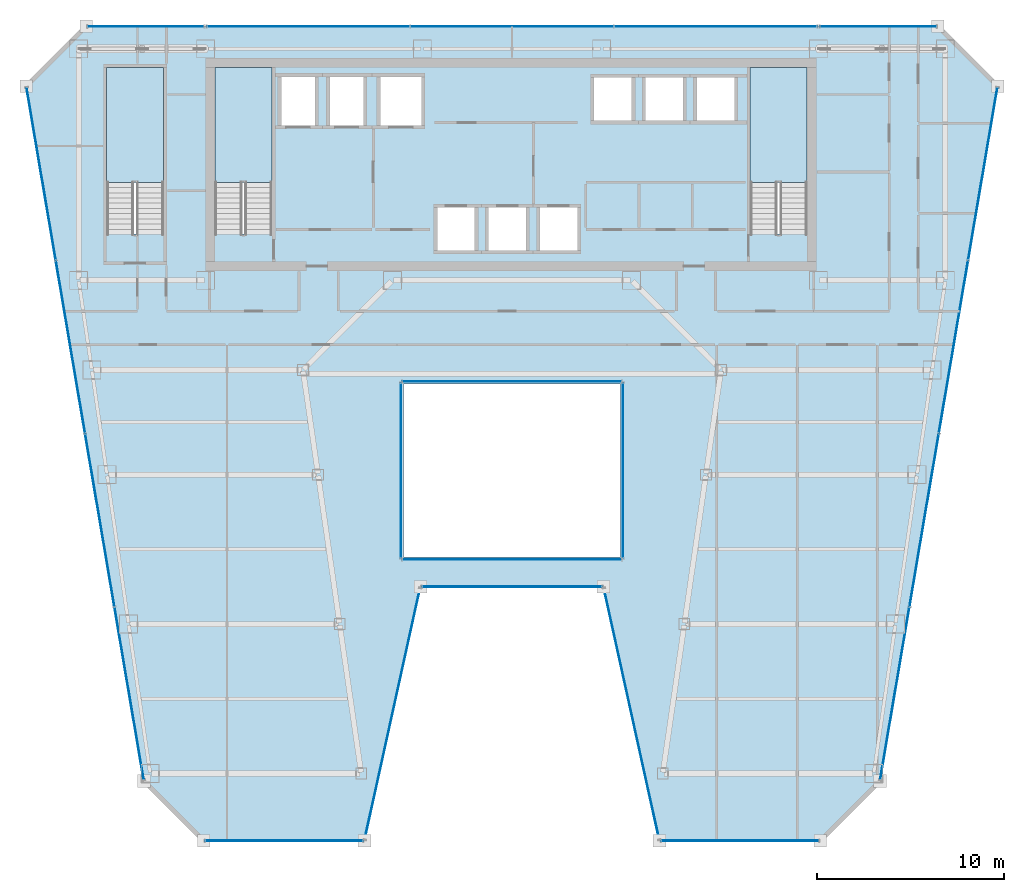
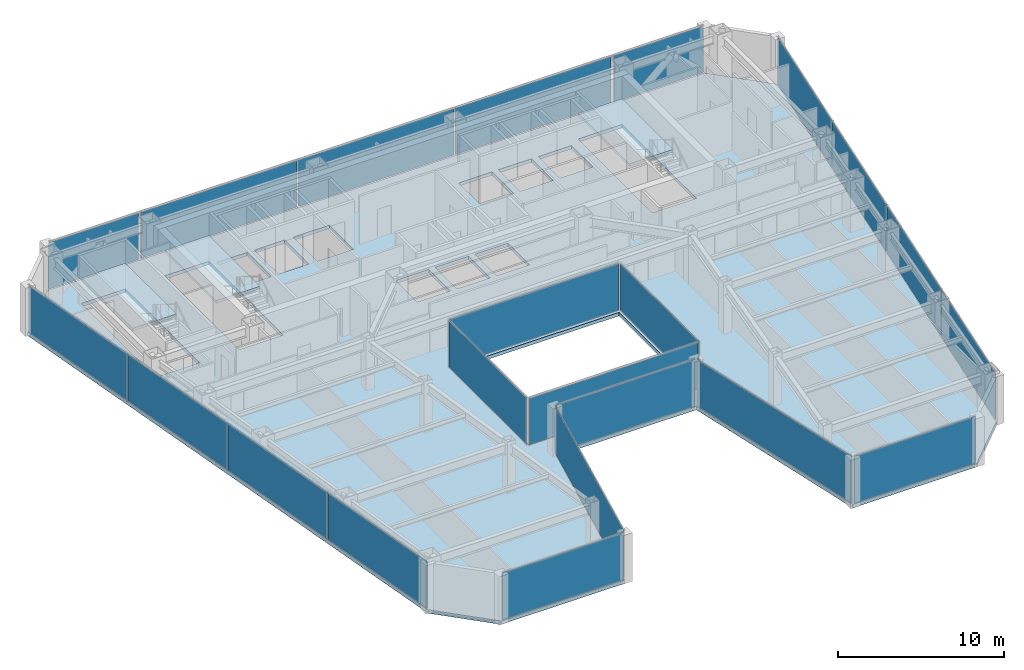
# One storey, part 27 of 35: 22 plates, 4 slabs, 17 elements without a shape of their own.
"""IFC4 building model written with IfcOpenShell, lengths in metres."""

from ifc_helpers import new_model, si_unit, direction, frame, origin, origin_2d, place, context, subcontext, project, spatial, polyline, rectangle, outline, extrude, material, layer, layer_set, type_object, element, aggregate, save


model = new_model("IFC4")

# Units and contexts
model_context = context("Model", 3, precision=1e-05, world=origin(), true_north=direction((0.0, 1.0)))
body_context = subcontext(model_context, "Body", "Model", "MODEL_VIEW")
ifc_project = project(units=[si_unit("LENGTHUNIT", "METRE"), si_unit("AREAUNIT", "SQUARE_METRE"), si_unit("VOLUMEUNIT", "CUBIC_METRE"), si_unit("PLANEANGLEUNIT", "RADIAN"), si_unit("MASSUNIT", "GRAM", prefix="KILO")], contexts=[model_context])

# Site, building, storey
site_placement = place(None, origin())
site = spatial("IfcSite", under=ifc_project, at=site_placement, CompositionType="ELEMENT")
building_placement = place(site_placement, origin())
building = spatial("IfcBuilding", under=site, at=building_placement, Name="Saevonmaru Cultural Tower", CompositionType="ELEMENT")
storey_placement = place(building_placement, frame((0.0, 0.0, 175.199951171875)))
storey = spatial("IfcBuildingStorey", under=building, at=storey_placement, Name="L39", CompositionType="ELEMENT", Elevation=175.199951171875)

# Curtain wall, plate
ifc_material_1 = material(Name="Satin Bronze Anodised Aluminium", Category="aluminium")
curtain_wall_type_1 = type_object("IfcCurtainWallType", Name="CW-ATR-GLZ", PredefinedType="NOTDEFINED", material=ifc_material_1)
curtain_wall_1_placement = place(storey_placement, origin())
curtain_wall_1 = element("IfcCurtainWall", 1, at=curtain_wall_1_placement, inside=storey, type_object=curtain_wall_type_1, Name="L39 Vertical Atrium Glazed Smoke Screen 1", PredefinedType="NOTDEFINED")
ifc_material_2 = material(Name="Fire-Rated Laminated Atrium Glass", Category="glass")
ifc_layer_1 = layer(ifc_material_2, 0.031982421875, Name="Fire-Rated Laminated Atrium Glass")
ifc_layer_set_1 = layer_set([ifc_layer_1], Name="Fire-Rated Laminated Atrium Glass")
plate_type_1 = type_object("IfcPlateType", Name="PN-GLZ-ATR-INT", PredefinedType="CURTAIN_PANEL", material=ifc_layer_set_1)
plate_1_placement = place(storey_placement, frame((30.0, 27.449951171875, 0.067138671875), z_axis=(0.0, 0.0, 1.0), x_axis=(1.0, 0.0, 0.0)))
plate_1 = element("IfcPlate", 2, at=plate_1_placement, type_object=plate_type_1, Name="CW-ATR-L39-1 panel 1.1", PredefinedType="CURTAIN_PANEL", context=body_context, shape_type="SweptSolid", body=[
    extrude(rectangle(XDim=11.7109375, YDim=0.031982421875, at=origin_2d()), origin(), (0.0, 0.0, 1.0), 3.416015625),
])
aggregate(curtain_wall_1, [plate_1])

curtain_wall_2_placement = place(storey_placement, origin())
curtain_wall_2 = element("IfcCurtainWall", 3, at=curtain_wall_2_placement, inside=storey, type_object=curtain_wall_type_1, Name="L39 Vertical Atrium Glazed Smoke Screen 2", PredefinedType="NOTDEFINED")
plate_2_placement = place(storey_placement, frame((35.949951171875, 32.219970703125, 0.067138671875), z_axis=(0.0, 0.0, 1.0), x_axis=(0.0, 1.0, 0.0)))
plate_2 = element("IfcPlate", 4, at=plate_2_placement, type_object=plate_type_1, Name="CW-ATR-L39-2 panel 1.1", PredefinedType="CURTAIN_PANEL", context=body_context, shape_type="SweptSolid", body=[
    extrude(rectangle(XDim=9.35107421875, YDim=0.031982421875, at=origin_2d()), origin(), (0.0, 0.0, 1.0), 3.416015625),
])
aggregate(curtain_wall_2, [plate_2])

curtain_wall_3_placement = place(storey_placement, origin())
curtain_wall_3 = element("IfcCurtainWall", 5, at=curtain_wall_3_placement, inside=storey, type_object=curtain_wall_type_1, Name="L39 Vertical Atrium Glazed Smoke Screen 3", PredefinedType="NOTDEFINED")
plate_3_placement = place(storey_placement, frame((30.0, 36.989990234375, 0.067138671875), z_axis=(0.0, 0.0, 1.0), x_axis=(-1.0, 0.0, 0.0)))
plate_3 = element("IfcPlate", 6, at=plate_3_placement, type_object=plate_type_1, Name="CW-ATR-L39-3 panel 1.1", PredefinedType="CURTAIN_PANEL", context=body_context, shape_type="SweptSolid", body=[
    extrude(rectangle(XDim=11.7109375, YDim=0.031982421875, at=origin_2d()), origin(), (0.0, 0.0, 1.0), 3.416015625),
])
aggregate(curtain_wall_3, [plate_3])

curtain_wall_4_placement = place(storey_placement, origin())
curtain_wall_4 = element("IfcCurtainWall", 7, at=curtain_wall_4_placement, inside=storey, type_object=curtain_wall_type_1, Name="L39 Vertical Atrium Glazed Smoke Screen 4", PredefinedType="NOTDEFINED")
plate_4_placement = place(storey_placement, frame((24.050048828125, 32.219970703125, 0.067138671875), z_axis=(0.0, 0.0, 1.0), x_axis=(0.0, -1.0, 0.0)))
plate_4 = element("IfcPlate", 8, at=plate_4_placement, type_object=plate_type_1, Name="CW-ATR-L39-4 panel 1.1", PredefinedType="CURTAIN_PANEL", context=body_context, shape_type="SweptSolid", body=[
    extrude(rectangle(XDim=9.35107421875, YDim=0.031982421875, at=origin_2d()), origin(), (0.0, 0.0, 1.0), 3.416015625),
])
aggregate(curtain_wall_4, [plate_4])

curtain_wall_type_2 = type_object("IfcCurtainWallType", Name="CW-TYP-B", PredefinedType="NOTDEFINED", material=ifc_material_1)
curtain_wall_5_placement = place(storey_placement, origin())
curtain_wall_5 = element("IfcCurtainWall", 9, at=curtain_wall_5_placement, inside=storey, type_object=curtain_wall_type_2, Name="L39 Unitised Curtain Wall E2", PredefinedType="NOTDEFINED")
ifc_material_3 = material(Name="Triple Silver Low-E Insulating Glass", Category="glass")
ifc_layer_2 = layer(ifc_material_3, 0.035888671875, Name="Triple Silver Low-E Insulating Glass")
ifc_layer_set_2 = layer_set([ifc_layer_2], Name="Triple Silver Low-E Insulating Glass")
plate_type_2 = type_object("IfcPlateType", Name="PN-GLZ-IGU", PredefinedType="CURTAIN_PANEL", material=ifc_layer_set_2)
plate_5_placement = place(storey_placement, frame((17.7978515625, 12.39990234375, 0.067138671875), z_axis=(0.0, 0.0, 1.0), x_axis=(1.0, 0.0, 0.0)))
plate_5 = element("IfcPlate", 10, at=plate_5_placement, type_object=plate_type_2, Name="CW-TW-L39-E2 panel 1.1", PredefinedType="CURTAIN_PANEL", context=body_context, shape_type="SweptSolid", body=[
    extrude(rectangle(XDim=8.410888671875, YDim=0.035888671875, at=origin_2d()), origin(), (0.0, 0.0, 1.0), 3.416015625),
])
aggregate(curtain_wall_5, [plate_5])

curtain_wall_6_placement = place(storey_placement, origin())
curtain_wall_6 = element("IfcCurtainWall", 11, at=curtain_wall_6_placement, inside=storey, type_object=curtain_wall_type_2, Name="L39 Unitised Curtain Wall E3", PredefinedType="NOTDEFINED")
plate_6_placement = place(storey_placement, frame((23.597900390625, 19.199951171875, 0.067138671875), z_axis=(0.0, 0.0, 1.0), x_axis=(0.215413319953, 0.976522965212, 0.0)))
plate_6 = element("IfcPlate", 12, at=plate_6_placement, type_object=plate_type_2, Name="CW-TW-L39-E3 panel 1.1", PredefinedType="CURTAIN_PANEL", context=body_context, shape_type="SweptSolid", body=[
    extrude(rectangle(XDim=13.738037109375, YDim=0.035888671875, at=origin_2d()), origin(), (0.0, 0.0, 1.0), 3.416015625),
])
aggregate(curtain_wall_6, [plate_6])

curtain_wall_7_placement = place(storey_placement, origin())
curtain_wall_7 = element("IfcCurtainWall", 13, at=curtain_wall_7_placement, inside=storey, type_object=curtain_wall_type_2, Name="L39 Unitised Curtain Wall E4", PredefinedType="NOTDEFINED")
plate_7_placement = place(storey_placement, frame((30.0, 26.0, 0.067138671875), z_axis=(0.0, 0.0, 1.0), x_axis=(1.0, 0.0, 0.0)))
plate_7 = element("IfcPlate", 14, at=plate_7_placement, type_object=plate_type_2, Name="CW-TW-L39-E4 panel 1.1", PredefinedType="CURTAIN_PANEL", context=body_context, shape_type="SweptSolid", body=[
    extrude(rectangle(XDim=9.615478515625, YDim=0.035888671875, at=origin_2d()), origin(), (0.0, 0.0, 1.0), 3.416015625),
])
aggregate(curtain_wall_7, [plate_7])

curtain_wall_8_placement = place(storey_placement, origin())
curtain_wall_8 = element("IfcCurtainWall", 15, at=curtain_wall_8_placement, inside=storey, type_object=curtain_wall_type_2, Name="L39 Unitised Curtain Wall E5", PredefinedType="NOTDEFINED")
plate_8_placement = place(storey_placement, frame((36.402099609375, 19.199951171875, 0.067138671875), z_axis=(0.0, 0.0, 1.0), x_axis=(0.215413319953, -0.976522965212, 0.0)))
plate_8 = element("IfcPlate", 16, at=plate_8_placement, type_object=plate_type_2, Name="CW-TW-L39-E5 panel 1.1", PredefinedType="CURTAIN_PANEL", context=body_context, shape_type="SweptSolid", body=[
    extrude(rectangle(XDim=13.738037109375, YDim=0.035888671875, at=origin_2d()), origin(), (0.0, 0.0, 1.0), 3.416015625),
])
aggregate(curtain_wall_8, [plate_8])

curtain_wall_9_placement = place(storey_placement, origin())
curtain_wall_9 = element("IfcCurtainWall", 17, at=curtain_wall_9_placement, inside=storey, type_object=curtain_wall_type_2, Name="L39 Unitised Curtain Wall E6", PredefinedType="NOTDEFINED")
plate_9_placement = place(storey_placement, frame((42.2021484375, 12.39990234375, 0.067138671875), z_axis=(0.0, 0.0, 1.0), x_axis=(1.0, 0.0, 0.0)))
plate_9 = element("IfcPlate", 18, at=plate_9_placement, type_object=plate_type_2, Name="CW-TW-L39-E6 panel 1.1", PredefinedType="CURTAIN_PANEL", context=body_context, shape_type="SweptSolid", body=[
    extrude(rectangle(XDim=8.410888671875, YDim=0.035888671875, at=origin_2d()), origin(), (0.0, 0.0, 1.0), 3.416015625),
])
aggregate(curtain_wall_9, [plate_9])

# Curtain wall, plates
curtain_wall_10_placement = place(storey_placement, origin())
curtain_wall_10 = element("IfcCurtainWall", 19, at=curtain_wall_10_placement, inside=storey, type_object=curtain_wall_type_2, Name="L39 Unitised Curtain Wall E8", PredefinedType="NOTDEFINED")
plate_10_placement = place(storey_placement, frame((50.496826171875, 20.29443359375, 0.067138671875), z_axis=(0.0, 0.0, 1.0), x_axis=(0.16692169721, 0.985970155228, 0.0)))
plate_10 = element("IfcPlate", 20, at=plate_10_placement, type_object=plate_type_2, Name="CW-TW-L39-E8 panel 1.1", PredefinedType="CURTAIN_PANEL", context=body_context, shape_type="SweptSolid", body=[
    extrude(rectangle(XDim=9.333251953125, YDim=0.035888671875, at=origin_2d()), origin(), (0.0, 0.0, 1.0), 3.416015625),
])
plate_11_placement = place(storey_placement, frame((52.06640625, 29.564697265625, 0.067138671875), z_axis=(0.0, 0.0, 1.0), x_axis=(0.16692169721, 0.985970155228, 0.0)))
plate_11 = element("IfcPlate", 21, at=plate_11_placement, type_object=plate_type_2, Name="CW-TW-L39-E8 panel 2.1", PredefinedType="CURTAIN_PANEL", context=body_context, shape_type="SweptSolid", body=[
    extrude(rectangle(XDim=9.333251953125, YDim=0.035888671875, at=origin_2d()), origin(), (0.0, 0.0, 1.0), 3.416015625),
])
plate_12_placement = place(storey_placement, frame((53.6357421875, 38.835205078125, 0.067138671875), z_axis=(0.0, 0.0, 1.0), x_axis=(0.16692169721, 0.985970155228, 0.0)))
plate_12 = element("IfcPlate", 22, at=plate_12_placement, type_object=plate_type_2, Name="CW-TW-L39-E8 panel 3.1", PredefinedType="CURTAIN_PANEL", context=body_context, shape_type="SweptSolid", body=[
    extrude(rectangle(XDim=9.333251953125, YDim=0.035888671875, at=origin_2d()), origin(), (0.0, 0.0, 1.0), 3.416015625),
])
plate_13_placement = place(storey_placement, frame((55.205322265625, 48.105712890625, 0.067138671875), z_axis=(0.0, 0.0, 1.0), x_axis=(0.16692169721, 0.985970155228, 0.0)))
plate_13 = element("IfcPlate", 23, at=plate_13_placement, type_object=plate_type_2, Name="CW-TW-L39-E8 panel 4.1", PredefinedType="CURTAIN_PANEL", context=body_context, shape_type="SweptSolid", body=[
    extrude(rectangle(XDim=9.333251953125, YDim=0.035888671875, at=origin_2d()), origin(), (0.0, 0.0, 1.0), 3.416015625),
])
aggregate(curtain_wall_10, [plate_10, plate_11, plate_12, plate_13])

curtain_wall_11_placement = place(storey_placement, origin())
curtain_wall_11 = element("IfcCurtainWall", 24, at=curtain_wall_11_placement, inside=storey, type_object=curtain_wall_type_2, Name="L39 North Spine Unitised Curtain Wall E10B", PredefinedType="NOTDEFINED")
plate_14_placement = place(storey_placement, frame((40.893310546875, 56.0, 0.067138671875), z_axis=(0.0, 0.0, 1.0), x_axis=(-1.0, 0.0, 0.0)))
plate_14 = element("IfcPlate", 25, at=plate_14_placement, type_object=plate_type_2, Name="CW-TW-L39-E10B panel 1.1", PredefinedType="CURTAIN_PANEL", context=body_context, shape_type="SweptSolid", body=[
    extrude(rectangle(XDim=10.82421875, YDim=0.035888671875, at=origin_2d()), origin(), (0.0, 0.0, 1.0), 3.416015625),
])
plate_15_placement = place(storey_placement, frame((30.0, 56.0, 0.067138671875), z_axis=(0.0, 0.0, 1.0), x_axis=(-1.0, 0.0, 0.0)))
plate_15 = element("IfcPlate", 26, at=plate_15_placement, type_object=plate_type_2, Name="CW-TW-L39-E10B panel 2.1", PredefinedType="CURTAIN_PANEL", context=body_context, shape_type="SweptSolid", body=[
    extrude(rectangle(XDim=10.82421875, YDim=0.035888671875, at=origin_2d()), origin(), (0.0, 0.0, 1.0), 3.416015625),
])
plate_16_placement = place(storey_placement, frame((19.106689453125, 56.0, 0.067138671875), z_axis=(0.0, 0.0, 1.0), x_axis=(-1.0, 0.0, 0.0)))
plate_16 = element("IfcPlate", 27, at=plate_16_placement, type_object=plate_type_2, Name="CW-TW-L39-E10B panel 3.1", PredefinedType="CURTAIN_PANEL", context=body_context, shape_type="SweptSolid", body=[
    extrude(rectangle(XDim=10.82421875, YDim=0.035888671875, at=origin_2d()), origin(), (0.0, 0.0, 1.0), 3.416015625),
])
aggregate(curtain_wall_11, [plate_14, plate_15, plate_16])

curtain_wall_12_placement = place(storey_placement, origin())
curtain_wall_12 = element("IfcCurtainWall", 28, at=curtain_wall_12_placement, inside=storey, type_object=curtain_wall_type_2, Name="L39 Unitised Curtain Wall E12", PredefinedType="NOTDEFINED")
plate_17_placement = place(storey_placement, frame((4.794677734375, 48.105712890625, 0.067138671875), z_axis=(0.0, 0.0, 1.0), x_axis=(0.16692169721, -0.985970155228, 0.0)))
plate_17 = element("IfcPlate", 29, at=plate_17_placement, type_object=plate_type_2, Name="CW-TW-L39-E12 panel 1.1", PredefinedType="CURTAIN_PANEL", context=body_context, shape_type="SweptSolid", body=[
    extrude(rectangle(XDim=9.333251953125, YDim=0.035888671875, at=origin_2d()), origin(), (0.0, 0.0, 1.0), 3.416015625),
])
plate_18_placement = place(storey_placement, frame((6.3642578125, 38.835205078125, 0.067138671875), z_axis=(0.0, 0.0, 1.0), x_axis=(0.16692169721, -0.985970155228, 0.0)))
plate_18 = element("IfcPlate", 30, at=plate_18_placement, type_object=plate_type_2, Name="CW-TW-L39-E12 panel 2.1", PredefinedType="CURTAIN_PANEL", context=body_context, shape_type="SweptSolid", body=[
    extrude(rectangle(XDim=9.333251953125, YDim=0.035888671875, at=origin_2d()), origin(), (0.0, 0.0, 1.0), 3.416015625),
])
plate_19_placement = place(storey_placement, frame((7.93359375, 29.564697265625, 0.067138671875), z_axis=(0.0, 0.0, 1.0), x_axis=(0.16692169721, -0.985970155228, 0.0)))
plate_19 = element("IfcPlate", 31, at=plate_19_placement, type_object=plate_type_2, Name="CW-TW-L39-E12 panel 3.1", PredefinedType="CURTAIN_PANEL", context=body_context, shape_type="SweptSolid", body=[
    extrude(rectangle(XDim=9.333251953125, YDim=0.035888671875, at=origin_2d()), origin(), (0.0, 0.0, 1.0), 3.416015625),
])
plate_20_placement = place(storey_placement, frame((9.503173828125, 20.29443359375, 0.067138671875), z_axis=(0.0, 0.0, 1.0), x_axis=(0.16692169721, -0.985970155228, 0.0)))
plate_20 = element("IfcPlate", 32, at=plate_20_placement, type_object=plate_type_2, Name="CW-TW-L39-E12 panel 4.1", PredefinedType="CURTAIN_PANEL", context=body_context, shape_type="SweptSolid", body=[
    extrude(rectangle(XDim=9.333251953125, YDim=0.035888671875, at=origin_2d()), origin(), (0.0, 0.0, 1.0), 3.416015625),
])
aggregate(curtain_wall_12, [plate_17, plate_18, plate_19, plate_20])

# Curtain wall, plate
curtain_wall_13_placement = place(storey_placement, origin())
curtain_wall_13 = element("IfcCurtainWall", 33, at=curtain_wall_13_placement, inside=storey, type_object=curtain_wall_type_2, Name="L39 East Braced Bay Spandrel Curtain Wall E10A", PredefinedType="NOTDEFINED")
ifc_material_4 = material(Name="Insulated Satin Bronze Aluminium Spandrel Panel", Category="aluminium")
ifc_layer_3 = layer(ifc_material_4, 0.0400390625, Name="Insulated Satin Bronze Aluminium Spandrel Panel")
ifc_layer_set_3 = layer_set([ifc_layer_3], Name="Insulated Satin Bronze Aluminium Spandrel Panel")
plate_type_3 = type_object("IfcPlateType", Name="PN-SPANDREL-BRONZE", PredefinedType="CURTAIN_PANEL", material=ifc_layer_set_3)
plate_21_placement = place(storey_placement, frame((49.60009765625, 56.0, 0.067138671875), z_axis=(0.0, 0.0, 1.0), x_axis=(-1.0, 0.0, 0.0)))
plate_21 = element("IfcPlate", 34, at=plate_21_placement, type_object=plate_type_3, Name="CW-TW-L39-E10A panel 1.1", PredefinedType="CURTAIN_PANEL", context=body_context, shape_type="SweptSolid", body=[
    extrude(rectangle(XDim=6.2109375, YDim=0.035888671875, at=origin_2d()), origin(), (0.0, 0.0, 1.0), 3.416015625),
])
aggregate(curtain_wall_13, [plate_21])

curtain_wall_14_placement = place(storey_placement, origin())
curtain_wall_14 = element("IfcCurtainWall", 35, at=curtain_wall_14_placement, inside=storey, type_object=curtain_wall_type_2, Name="L39 West Braced Bay Spandrel Curtain Wall E10C", PredefinedType="NOTDEFINED")
plate_22_placement = place(storey_placement, frame((10.39990234375, 56.0, 0.067138671875), z_axis=(0.0, 0.0, 1.0), x_axis=(-1.0, 0.0, 0.0)))
plate_22 = element("IfcPlate", 36, at=plate_22_placement, type_object=plate_type_3, Name="CW-TW-L39-E10C panel 1.1", PredefinedType="CURTAIN_PANEL", context=body_context, shape_type="SweptSolid", body=[
    extrude(rectangle(XDim=6.2109375, YDim=0.035888671875, at=origin_2d()), origin(), (0.0, 0.0, 1.0), 3.416015625),
])
aggregate(curtain_wall_14, [plate_22])

# Slab
ifc_material_5 = material(Name="Concrete C40/50", Category="concrete")
ifc_layer_4 = layer(ifc_material_5, 0.25, Name="Concrete C40/50")
ifc_layer_set_4 = layer_set([ifc_layer_4], Name="Concrete C40/50")
slab_type_1 = type_object("IfcSlabType", Name="SL-FLR-250", PredefinedType="FLOOR", material=ifc_layer_set_4)
slab_1_placement = place(storey_placement, frame((0.0, 0.0, -0.25)))
element("IfcSlab", 37, at=slab_1_placement, inside=storey, type_object=slab_type_1, Name="L39 Tower Structural Floor Slab", PredefinedType="FLOOR", context=body_context, shape_type="SweptSolid", body=[
    extrude(outline(polyline([(10.2978515625, 15.60009765625), (13.497802734375, 12.39990234375), (22.097900390625, 12.39990234375), (25.097900390625, 26.0), (34.902099609375, 26.0), (37.902099609375, 12.39990234375), (46.502197265625, 12.39990234375), (49.7021484375, 15.60009765625), (56.0, 52.800048828125), (52.800048828125, 56.0), (7.199951171875, 56.0), (4.0, 52.800048828125), (10.2978515625, 15.60009765625)]), holes=[polyline([(45.800048828125, 44.875), (42.75, 44.875), (42.75, 53.800048828125), (45.800048828125, 53.800048828125), (45.800048828125, 44.875)]), polyline([(39.75, 50.800048828125), (39.75, 53.39990234375), (42.050048828125, 53.39990234375), (42.050048828125, 50.800048828125), (39.75, 50.800048828125)]), polyline([(37.0, 50.800048828125), (37.0, 53.39990234375), (39.300048828125, 53.39990234375), (39.300048828125, 50.800048828125), (37.0, 50.800048828125)]), polyline([(34.25, 50.800048828125), (34.25, 53.39990234375), (36.550048828125, 53.39990234375), (36.550048828125, 50.800048828125), (34.25, 50.800048828125)]), polyline([(24.199951171875, 27.60009765625), (24.199951171875, 36.840087890625), (35.800048828125, 36.840087890625), (35.800048828125, 27.60009765625), (24.199951171875, 27.60009765625)]), polyline([(31.35009765625, 43.85009765625), (31.35009765625, 46.449951171875), (33.64990234375, 46.449951171875), (33.64990234375, 43.85009765625), (31.35009765625, 43.85009765625)]), polyline([(28.60009765625, 43.85009765625), (28.60009765625, 46.449951171875), (30.89990234375, 46.449951171875), (30.89990234375, 43.85009765625), (28.60009765625, 43.85009765625)]), polyline([(28.14990234375, 43.85009765625), (25.85009765625, 43.85009765625), (25.85009765625, 46.449951171875), (28.14990234375, 46.449951171875), (28.14990234375, 43.85009765625)]), polyline([(25.300048828125, 50.550048828125), (22.800048828125, 50.550048828125), (22.800048828125, 53.449951171875), (25.300048828125, 53.449951171875), (25.300048828125, 50.550048828125)]), polyline([(20.10009765625, 50.550048828125), (20.10009765625, 53.449951171875), (22.199951171875, 53.449951171875), (22.199951171875, 50.550048828125), (20.10009765625, 50.550048828125)]), polyline([(17.5, 50.550048828125), (17.5, 53.449951171875), (19.60009765625, 53.449951171875), (19.60009765625, 50.550048828125), (17.5, 50.550048828125)]), polyline([(17.14990234375, 53.800048828125), (17.14990234375, 44.875), (14.10009765625, 44.875), (14.10009765625, 53.800048828125), (17.14990234375, 53.800048828125)]), polyline([(11.35009765625, 44.875), (8.300048828125, 44.875), (8.300048828125, 53.800048828125), (11.35009765625, 53.800048828125), (11.35009765625, 44.875)])]), origin(), (0.0, 0.0, 1.0), 0.25),
])

# Stair, slab
stair_type = type_object("IfcStairType", Name="STR-DOGLEG-RC", PredefinedType="HALF_TURN_STAIR", material=ifc_material_5)
stair_1_placement = place(storey_placement, origin())
stair_1 = element("IfcStair", 38, at=stair_1_placement, inside=storey, type_object=stair_type, Name="L39 Protected exit stair ST-1", PredefinedType="HALF_TURN_STAIR")
ifc_layer_5 = layer(ifc_material_5, 0.199951171875, Name="Concrete C40/50")
ifc_layer_set_5 = layer_set([ifc_layer_5], Name="Concrete C40/50")
slab_type_2 = type_object("IfcSlabType", Name="SL-STAIR-LANDING", PredefinedType="LANDING", material=ifc_layer_set_5)
slab_2_placement = place(storey_placement, frame((0.0, 0.0, 1.699951171875)))
slab_2 = element("IfcSlab", 39, at=slab_2_placement, type_object=slab_type_2, Name="ST-1-L39 landing 1", PredefinedType="LANDING", context=body_context, shape_type="SweptSolid", body=[
    extrude(outline(polyline([(17.14990234375, 47.64990234375), (17.14990234375, 53.800048828125), (14.10009765625, 53.800048828125), (14.10009765625, 47.64990234375), (17.14990234375, 47.64990234375)])), origin(), (0.0, 0.0, 1.0), 0.2001953125),
])
aggregate(stair_1, [slab_2])

stair_2_placement = place(storey_placement, origin())
stair_2 = element("IfcStair", 40, at=stair_2_placement, inside=storey, type_object=stair_type, Name="L39 Protected exit stair ST-2", PredefinedType="HALF_TURN_STAIR")
slab_3_placement = place(storey_placement, frame((0.0, 0.0, 1.699951171875)))
slab_3 = element("IfcSlab", 41, at=slab_3_placement, type_object=slab_type_2, Name="ST-2-L39 landing 1", PredefinedType="LANDING", context=body_context, shape_type="SweptSolid", body=[
    extrude(outline(polyline([(45.800048828125, 47.64990234375), (45.800048828125, 53.800048828125), (42.75, 53.800048828125), (42.75, 47.64990234375), (45.800048828125, 47.64990234375)])), origin(), (0.0, 0.0, 1.0), 0.2001953125),
])
aggregate(stair_2, [slab_3])

stair_3_placement = place(storey_placement, origin())
stair_3 = element("IfcStair", 42, at=stair_3_placement, inside=storey, type_object=stair_type, Name="L39 Protected exit stair ST-3", PredefinedType="HALF_TURN_STAIR")
slab_4_placement = place(storey_placement, frame((0.0, 0.0, 1.699951171875)))
slab_4 = element("IfcSlab", 43, at=slab_4_placement, type_object=slab_type_2, Name="ST-3-L39 landing 1", PredefinedType="LANDING", context=body_context, shape_type="SweptSolid", body=[
    extrude(outline(polyline([(11.35009765625, 47.64990234375), (11.35009765625, 53.800048828125), (8.300048828125, 53.800048828125), (8.300048828125, 47.64990234375), (11.35009765625, 47.64990234375)])), origin(), (0.0, 0.0, 1.0), 0.2001953125),
])
aggregate(stair_3, [slab_4])

save(model, "model.ifc")
